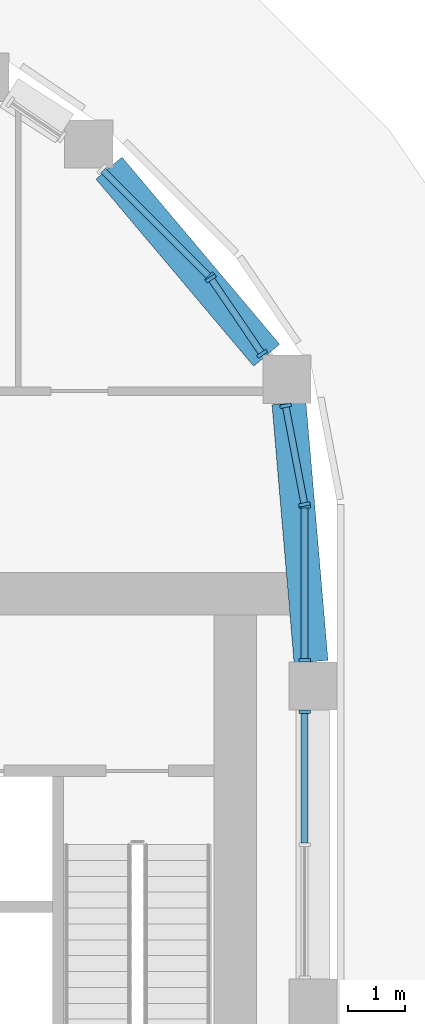
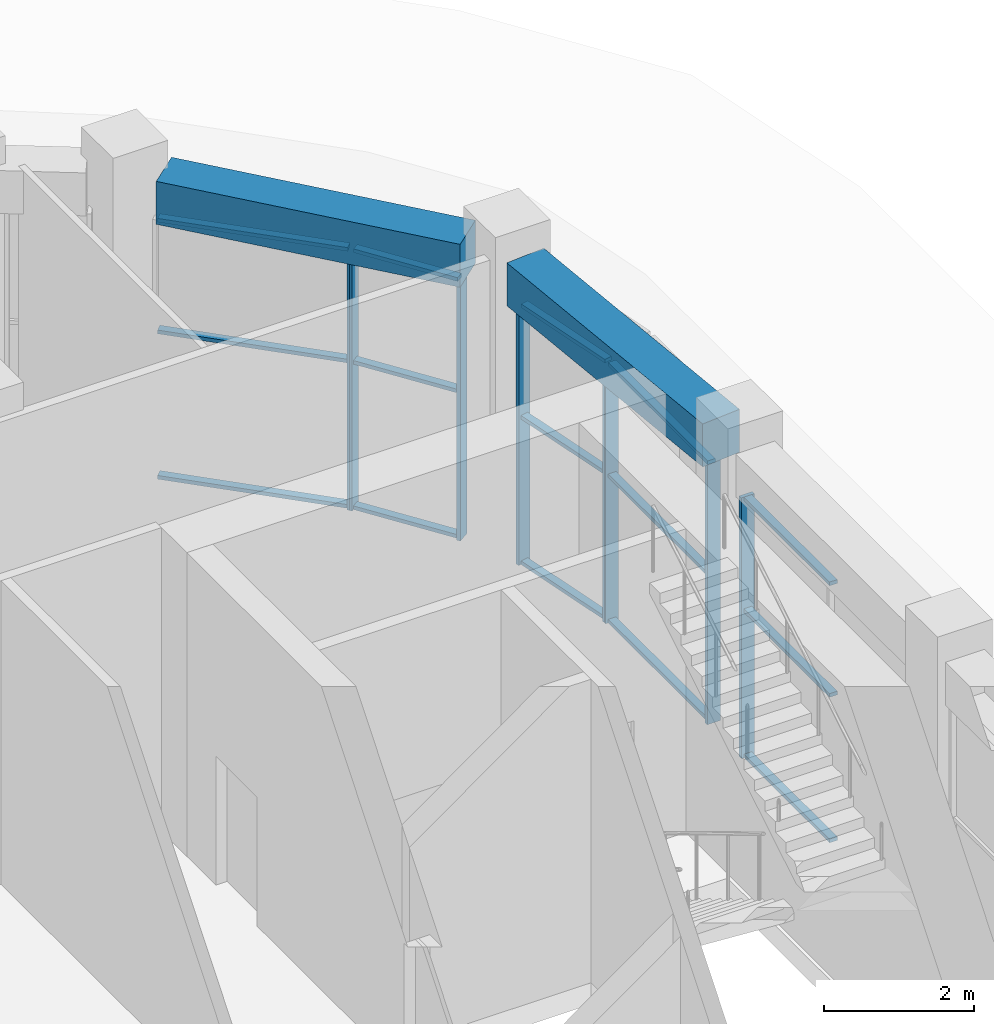
# One storey, part 10 of 26: 23 members, 2 beams, 5 elements without a shape of their own.
"""IFC4 building model written with IfcOpenShell, lengths in metres."""

from ifc_helpers import new_model, si_unit, direction, frame, origin, origin_2d, place, context, subcontext, project, spatial, rectangle, extrude, material, layer, layer_set, material_profile, profile_set, type_object, element, aggregate, save


model = new_model("IFC4")

# Units and contexts
model_context = context("Model", 3, precision=1e-05, world=origin(), true_north=direction((0.0, 1.0)))
body_context = subcontext(model_context, "Body", "Model", "MODEL_VIEW")
ifc_project = project(units=[si_unit("LENGTHUNIT", "METRE"), si_unit("AREAUNIT", "SQUARE_METRE"), si_unit("VOLUMEUNIT", "CUBIC_METRE"), si_unit("PLANEANGLEUNIT", "RADIAN"), si_unit("MASSUNIT", "GRAM", prefix="KILO")], contexts=[model_context])

# Site, building, storey
site_placement = place(None, origin())
site = spatial("IfcSite", under=ifc_project, at=site_placement, CompositionType="ELEMENT")
building_placement = place(site_placement, origin())
building = spatial("IfcBuilding", under=site, at=building_placement, Name="Kiln Ring Residences", CompositionType="ELEMENT")
storey_placement = place(building_placement, frame((0.0, 0.0, 230.89990234375)))
storey = spatial("IfcBuildingStorey", under=building, at=storey_placement, Name="L60", CompositionType="ELEMENT", Elevation=230.89990234375)

# Curtain wall, member
ifc_material_1 = material(Name="Aluminium and glass", Category="aluminium")
ifc_layer = layer(ifc_material_1, 0.199951171875)
ifc_layer_set = layer_set([ifc_layer], Name="CW1 CURTAIN WALL")
curtain_wall_type = type_object("IfcCurtainWallType", Name="CW1 CURTAIN WALL", PredefinedType="NOTDEFINED", material=ifc_layer_set)
placement = place(storey_placement, origin())
curtain_wall_1 = element("IfcCurtainWall", 1, at=placement, inside=storey, type_object=curtain_wall_type, Name="Curtain wall CW1 L60", PredefinedType="NOTDEFINED")
ifc_material_2 = material(Name="Aluminium 6063-T6", Category="aluminium")
ifc_material_profile_1 = material_profile(ifc_material_2, rectangle(XDim=0.199951171875, YDim=0.06005859375, at=origin_2d()), Name="AL 200x60")
ifc_profile_set_1 = profile_set([ifc_material_profile_1], Name="Aluminium 6063-T6")
member_type_1 = type_object("IfcMemberType", Name="CW1 MULLION 200 x 60", PredefinedType="MULLION", material=ifc_profile_set_1)
member_1_placement = place(storey_placement, frame((25.050048828125, 10.7451171875, 0.0), z_axis=(0.0, 0.0, 1.0), x_axis=(-1.0, 0.0, 0.0)))
member_1 = element("IfcMember", 2, at=member_1_placement, type_object=member_type_1, Name="CW1 mullion 3", PredefinedType="MULLION", context=body_context, shape_type="SweptSolid", body=[
    extrude(rectangle(XDim=0.199951171875, YDim=0.06005859375, at=origin_2d()), origin(), (0.0, 0.0, 1.0), 4.25),
])

# Curtain wall, members
curtain_wall_2 = element("IfcCurtainWall", 3, at=placement, inside=storey, type_object=curtain_wall_type, Name="Curtain wall CW1 L60", PredefinedType="NOTDEFINED")
member_2_placement = place(storey_placement, frame((25.050048828125, 11.655029296875, 0.0), z_axis=(0.0, 0.0, 1.0), x_axis=(-1.0, 0.0, 0.0)))
member_2 = element("IfcMember", 4, at=member_2_placement, type_object=member_type_1, Name="CW1 mullion 1", PredefinedType="MULLION", context=body_context, shape_type="SweptSolid", body=[
    extrude(rectangle(XDim=0.199951171875, YDim=0.06005859375, at=origin_2d()), origin(), (0.0, 0.0, 1.0), 4.25),
])
member_3_placement = place(storey_placement, frame((25.050048828125, 14.3701171875, 0.0), z_axis=(0.0, 0.0, 1.0), x_axis=(-1.0, 0.0, 0.0)))
member_3 = element("IfcMember", 5, at=member_3_placement, type_object=member_type_1, Name="CW1 mullion 2", PredefinedType="MULLION", context=body_context, shape_type="SweptSolid", body=[
    extrude(rectangle(XDim=0.199951171875, YDim=0.06005859375, at=origin_2d()), origin(), (0.0, 0.0, 1.0), 4.25),
])

curtain_wall_3 = element("IfcCurtainWall", 6, at=placement, inside=storey, type_object=curtain_wall_type, Name="Curtain wall CW1 L60", PredefinedType="NOTDEFINED")
member_4_placement = place(storey_placement, frame((25.047119140625, 14.4013671875, 0.0), z_axis=(0.0, 0.0, 1.0), x_axis=(-0.982290257829, -0.187365550124, 0.0)))
member_4 = element("IfcMember", 7, at=member_4_placement, type_object=member_type_1, Name="CW1 mullion 1", PredefinedType="MULLION", context=body_context, shape_type="SweptSolid", body=[
    extrude(rectangle(XDim=0.199951171875, YDim=0.06005859375, at=origin_2d()), origin(), (0.0, 0.0, 1.0), 4.25),
])
member_5_placement = place(storey_placement, frame((24.715087890625, 16.14111328125, 0.0), z_axis=(0.0, 0.0, 1.0), x_axis=(-0.982290257829, -0.187365550124, 0.0)))
member_5 = element("IfcMember", 8, at=member_5_placement, type_object=member_type_1, Name="CW1 mullion 2", PredefinedType="MULLION", context=body_context, shape_type="SweptSolid", body=[
    extrude(rectangle(XDim=0.199951171875, YDim=0.06005859375, at=origin_2d()), origin(), (0.0, 0.0, 1.0), 4.25),
])

curtain_wall_4 = element("IfcCurtainWall", 9, at=placement, inside=storey, type_object=curtain_wall_type, Name="Curtain wall CW1 L60", PredefinedType="NOTDEFINED")
member_6_placement = place(storey_placement, frame((24.29931640625, 17.05859375, 0.0), z_axis=(0.0, 0.0, 1.0), x_axis=(-0.827071553674, -0.562096651033, 0.0)))
member_6 = element("IfcMember", 10, at=member_6_placement, type_object=member_type_1, Name="CW1 mullion 1", PredefinedType="MULLION", context=body_context, shape_type="SweptSolid", body=[
    extrude(rectangle(XDim=0.199951171875, YDim=0.06005859375, at=origin_2d()), origin(), (0.0, 0.0, 1.0), 4.25),
])
member_7_placement = place(storey_placement, frame((23.395751953125, 18.387939453125, 0.0), z_axis=(0.0, 0.0, 1.0), x_axis=(-0.827071553674, -0.562096651033, 0.0)))
member_7 = element("IfcMember", 11, at=member_7_placement, type_object=member_type_1, Name="CW1 mullion 2", PredefinedType="MULLION", context=body_context, shape_type="SweptSolid", body=[
    extrude(rectangle(XDim=0.199951171875, YDim=0.06005859375, at=origin_2d()), origin(), (0.0, 0.0, 1.0), 4.25),
])

# Curtain wall, member
curtain_wall_5 = element("IfcCurtainWall", 12, at=placement, inside=storey, type_object=curtain_wall_type, Name="Curtain wall CW1 L60", PredefinedType="NOTDEFINED")
member_8_placement = place(storey_placement, frame((23.375732421875, 18.412109375, 0.0), z_axis=(0.0, 0.0, 1.0), x_axis=(-0.707106781187, -0.707106781187, 0.0)))
member_8 = element("IfcMember", 13, at=member_8_placement, type_object=member_type_1, Name="CW1 mullion 1", PredefinedType="MULLION", context=body_context, shape_type="SweptSolid", body=[
    extrude(rectangle(XDim=0.199951171875, YDim=0.06005859375, at=origin_2d()), origin(), (0.0, 0.0, 1.0), 4.25),
])

# Member
ifc_material_3 = material(Name="Aluminium 6063-T6", Category="aluminium")
ifc_material_profile_2 = material_profile(ifc_material_3, rectangle(XDim=0.1201171875, YDim=0.06005859375, at=origin_2d()), Name="AL 120x60")
ifc_profile_set_2 = profile_set([ifc_material_profile_2], Name="Aluminium 6063-T6")
member_type_2 = type_object("IfcMemberType", Name="CW1 TRANSOM 120 x 60", PredefinedType="USERDEFINED", material=ifc_profile_set_2)
member_9_placement = place(storey_placement, frame((25.050048828125, 8.429931640625, 0.030029296875), z_axis=(0.0, 1.0, 0.0), x_axis=(-1.0, 0.0, 0.0)))
member_9 = element("IfcMember", 14, at=member_9_placement, type_object=member_type_2, Name="CW1 transom 2.1", ObjectType="TRANSOM", PredefinedType="USERDEFINED", context=body_context, shape_type="SweptSolid", body=[
    extrude(rectangle(XDim=0.1201171875, YDim=0.06005859375, at=origin_2d()), origin(), (0.0, 0.0, 1.0), 2.28515625),
])

member_10_placement = place(storey_placement, frame((25.050048828125, 8.429931640625, 2.400146484375), z_axis=(0.0, 1.0, 0.0), x_axis=(-1.0, 0.0, 0.0)))
member_10 = element("IfcMember", 15, at=member_10_placement, type_object=member_type_2, Name="CW1 transom 2.2", ObjectType="TRANSOM", PredefinedType="USERDEFINED", context=body_context, shape_type="SweptSolid", body=[
    extrude(rectangle(XDim=0.1201171875, YDim=0.06005859375, at=origin_2d()), origin(), (0.0, 0.0, 1.0), 2.28515625),
])

member_11_placement = place(storey_placement, frame((25.050048828125, 8.429931640625, 4.22021484375), z_axis=(0.0, 1.0, 0.0), x_axis=(-1.0, 0.0, 0.0)))
member_11 = element("IfcMember", 16, at=member_11_placement, type_object=member_type_2, Name="CW1 transom 2.3", ObjectType="TRANSOM", PredefinedType="USERDEFINED", context=body_context, shape_type="SweptSolid", body=[
    extrude(rectangle(XDim=0.1201171875, YDim=0.06005859375, at=origin_2d()), origin(), (0.0, 0.0, 1.0), 2.28515625),
])

aggregate(curtain_wall_1, [member_1, member_9, member_10, member_11])

member_12_placement = place(storey_placement, frame((25.050048828125, 11.68505859375, 0.030029296875), z_axis=(0.0, 1.0, 0.0), x_axis=(-1.0, 0.0, 0.0)))
member_12 = element("IfcMember", 17, at=member_12_placement, type_object=member_type_2, Name="CW1 transom 1.1", ObjectType="TRANSOM", PredefinedType="USERDEFINED", context=body_context, shape_type="SweptSolid", body=[
    extrude(rectangle(XDim=0.1201171875, YDim=0.06005859375, at=origin_2d()), origin(), (0.0, 0.0, 1.0), 2.655029296875),
])

member_13_placement = place(storey_placement, frame((25.050048828125, 11.68505859375, 2.400146484375), z_axis=(0.0, 1.0, 0.0), x_axis=(-1.0, 0.0, 0.0)))
member_13 = element("IfcMember", 18, at=member_13_placement, type_object=member_type_2, Name="CW1 transom 1.2", ObjectType="TRANSOM", PredefinedType="USERDEFINED", context=body_context, shape_type="SweptSolid", body=[
    extrude(rectangle(XDim=0.1201171875, YDim=0.06005859375, at=origin_2d()), origin(), (0.0, 0.0, 1.0), 2.655029296875),
])

member_14_placement = place(storey_placement, frame((25.050048828125, 11.68505859375, 4.22021484375), z_axis=(0.0, 1.0, 0.0), x_axis=(-1.0, 0.0, 0.0)))
member_14 = element("IfcMember", 19, at=member_14_placement, type_object=member_type_2, Name="CW1 transom 1.3", ObjectType="TRANSOM", PredefinedType="USERDEFINED", context=body_context, shape_type="SweptSolid", body=[
    extrude(rectangle(XDim=0.1201171875, YDim=0.06005859375, at=origin_2d()), origin(), (0.0, 0.0, 1.0), 2.655029296875),
])

aggregate(curtain_wall_2, [member_2, member_3, member_12, member_13, member_14])

member_15_placement = place(storey_placement, frame((25.04150390625, 14.430908203125, 0.030029296875), z_axis=(-0.187492387772, 0.982266055877, 0.0), x_axis=(-0.982266055877, -0.187492387772, 0.0)))
member_15 = element("IfcMember", 20, at=member_15_placement, type_object=member_type_2, Name="CW1 transom 1.1", ObjectType="TRANSOM", PredefinedType="USERDEFINED", context=body_context, shape_type="SweptSolid", body=[
    extrude(rectangle(XDim=0.1201171875, YDim=0.06005859375, at=origin_2d()), origin(), (0.0, 0.0, 1.0), 1.7109375),
])

member_16_placement = place(storey_placement, frame((25.04150390625, 14.430908203125, 2.400146484375), z_axis=(-0.187492387772, 0.982266055877, 0.0), x_axis=(-0.982266055877, -0.187492387772, 0.0)))
member_16 = element("IfcMember", 21, at=member_16_placement, type_object=member_type_2, Name="CW1 transom 1.2", ObjectType="TRANSOM", PredefinedType="USERDEFINED", context=body_context, shape_type="SweptSolid", body=[
    extrude(rectangle(XDim=0.1201171875, YDim=0.06005859375, at=origin_2d()), origin(), (0.0, 0.0, 1.0), 1.7109375),
])

member_17_placement = place(storey_placement, frame((25.04150390625, 14.430908203125, 4.22021484375), z_axis=(-0.187492387772, 0.982266055877, 0.0), x_axis=(-0.982266055877, -0.187492387772, 0.0)))
member_17 = element("IfcMember", 22, at=member_17_placement, type_object=member_type_2, Name="CW1 transom 1.3", ObjectType="TRANSOM", PredefinedType="USERDEFINED", context=body_context, shape_type="SweptSolid", body=[
    extrude(rectangle(XDim=0.1201171875, YDim=0.06005859375, at=origin_2d()), origin(), (0.0, 0.0, 1.0), 1.7109375),
])

aggregate(curtain_wall_3, [member_4, member_5, member_15, member_16, member_17])

member_18_placement = place(storey_placement, frame((24.282470703125, 17.083251953125, 0.030029296875), z_axis=(-0.562141708098, 0.827040930073, 0.0), x_axis=(-0.827040930073, -0.562141708098, 0.0)))
member_18 = element("IfcMember", 23, at=member_18_placement, type_object=member_type_2, Name="CW1 transom 1.1", ObjectType="TRANSOM", PredefinedType="USERDEFINED", context=body_context, shape_type="SweptSolid", body=[
    extrude(rectangle(XDim=0.1201171875, YDim=0.06005859375, at=origin_2d()), origin(), (0.0, 0.0, 1.0), 1.54736328125),
])

member_19_placement = place(storey_placement, frame((24.282470703125, 17.083251953125, 2.400146484375), z_axis=(-0.562141708098, 0.827040930073, 0.0), x_axis=(-0.827040930073, -0.562141708098, 0.0)))
member_19 = element("IfcMember", 24, at=member_19_placement, type_object=member_type_2, Name="CW1 transom 1.2", ObjectType="TRANSOM", PredefinedType="USERDEFINED", context=body_context, shape_type="SweptSolid", body=[
    extrude(rectangle(XDim=0.1201171875, YDim=0.06005859375, at=origin_2d()), origin(), (0.0, 0.0, 1.0), 1.54736328125),
])

member_20_placement = place(storey_placement, frame((24.282470703125, 17.083251953125, 4.22021484375), z_axis=(-0.562141708098, 0.827040930073, 0.0), x_axis=(-0.827040930073, -0.562141708098, 0.0)))
member_20 = element("IfcMember", 25, at=member_20_placement, type_object=member_type_2, Name="CW1 transom 1.3", ObjectType="TRANSOM", PredefinedType="USERDEFINED", context=body_context, shape_type="SweptSolid", body=[
    extrude(rectangle(XDim=0.1201171875, YDim=0.06005859375, at=origin_2d()), origin(), (0.0, 0.0, 1.0), 1.54736328125),
])

aggregate(curtain_wall_4, [member_6, member_7, member_18, member_19, member_20])

member_21_placement = place(storey_placement, frame((23.3544921875, 18.433349609375, 0.030029296875), z_axis=(-0.707060348066, 0.707153211258, 0.0), x_axis=(-0.707153211258, -0.707060348066, 0.0)))
member_21 = element("IfcMember", 26, at=member_21_placement, type_object=member_type_2, Name="CW1 transom 1.1", ObjectType="TRANSOM", PredefinedType="USERDEFINED", context=body_context, shape_type="SweptSolid", body=[
    extrude(rectangle(XDim=0.1201171875, YDim=0.06005859375, at=origin_2d()), origin(), (0.0, 0.0, 1.0), 2.629150390625),
])

member_22_placement = place(storey_placement, frame((23.3544921875, 18.433349609375, 2.400146484375), z_axis=(-0.707060348066, 0.707153211258, 0.0), x_axis=(-0.707153211258, -0.707060348066, 0.0)))
member_22 = element("IfcMember", 27, at=member_22_placement, type_object=member_type_2, Name="CW1 transom 1.2", ObjectType="TRANSOM", PredefinedType="USERDEFINED", context=body_context, shape_type="SweptSolid", body=[
    extrude(rectangle(XDim=0.1201171875, YDim=0.06005859375, at=origin_2d()), origin(), (0.0, 0.0, 1.0), 2.629150390625),
])

member_23_placement = place(storey_placement, frame((23.3544921875, 18.433349609375, 4.22021484375), z_axis=(-0.707060348066, 0.707153211258, 0.0), x_axis=(-0.707153211258, -0.707060348066, 0.0)))
member_23 = element("IfcMember", 28, at=member_23_placement, type_object=member_type_2, Name="CW1 transom 1.3", ObjectType="TRANSOM", PredefinedType="USERDEFINED", context=body_context, shape_type="SweptSolid", body=[
    extrude(rectangle(XDim=0.1201171875, YDim=0.06005859375, at=origin_2d()), origin(), (0.0, 0.0, 1.0), 2.629150390625),
])

aggregate(curtain_wall_5, [member_8, member_21, member_22, member_23])

# Beams
ifc_material_4 = material(Name="Concrete C50/60", Category="concrete")
ifc_material_profile_3 = material_profile(ifc_material_4, rectangle(XDim=0.60009765625, YDim=0.699951171875, at=origin_2d()), Name="RC600x700")
ifc_profile_set_3 = profile_set([ifc_material_profile_3], Name="Concrete C50/60")
beam_type = type_object("IfcBeamType", Name="Spandrel beam RC600x700 C50/60", PredefinedType="SPANDREL", material=ifc_profile_set_3)
beam_1_placement = place(storey_placement, frame((25.163818359375, 11.625, 4.60009765625), z_axis=(-0.085112058675, 0.996371385312, 0.0), x_axis=(-0.996371385312, -0.085112058675, 0.0)))
element("IfcBeam", 29, at=beam_1_placement, inside=storey, type_object=beam_type, Name="Spandrel beam L60 10", PredefinedType="SPANDREL", context=body_context, shape_type="SweptSolid", body=[
    extrude(rectangle(XDim=0.60009765625, YDim=0.699951171875, at=origin_2d()), origin(), (0.0, 0.0, 1.0), 4.5751953125),
])
beam_2_placement = place(storey_placement, frame((24.3798828125, 17.03369140625, 4.60009765625), z_axis=(-0.644363873614, 0.764719032313, 0.0), x_axis=(-0.764719032313, -0.644363873614, 0.0)))
element("IfcBeam", 30, at=beam_2_placement, inside=storey, type_object=beam_type, Name="Spandrel beam L60 11", PredefinedType="SPANDREL", context=body_context, shape_type="SweptSolid", body=[
    extrude(rectangle(XDim=0.60009765625, YDim=0.699951171875, at=origin_2d()), origin(), (0.0, 0.0, 1.0), 4.316650390625),
])

save(model, "model.ifc")
